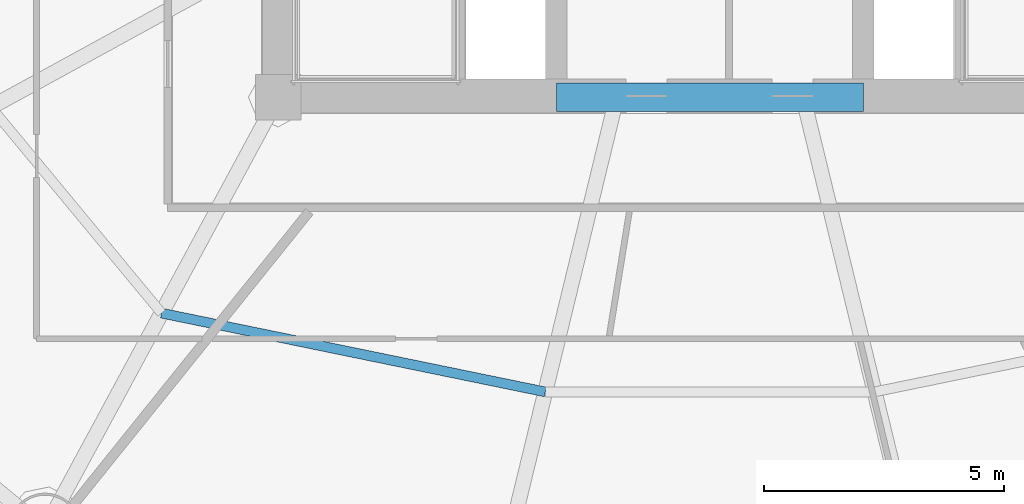
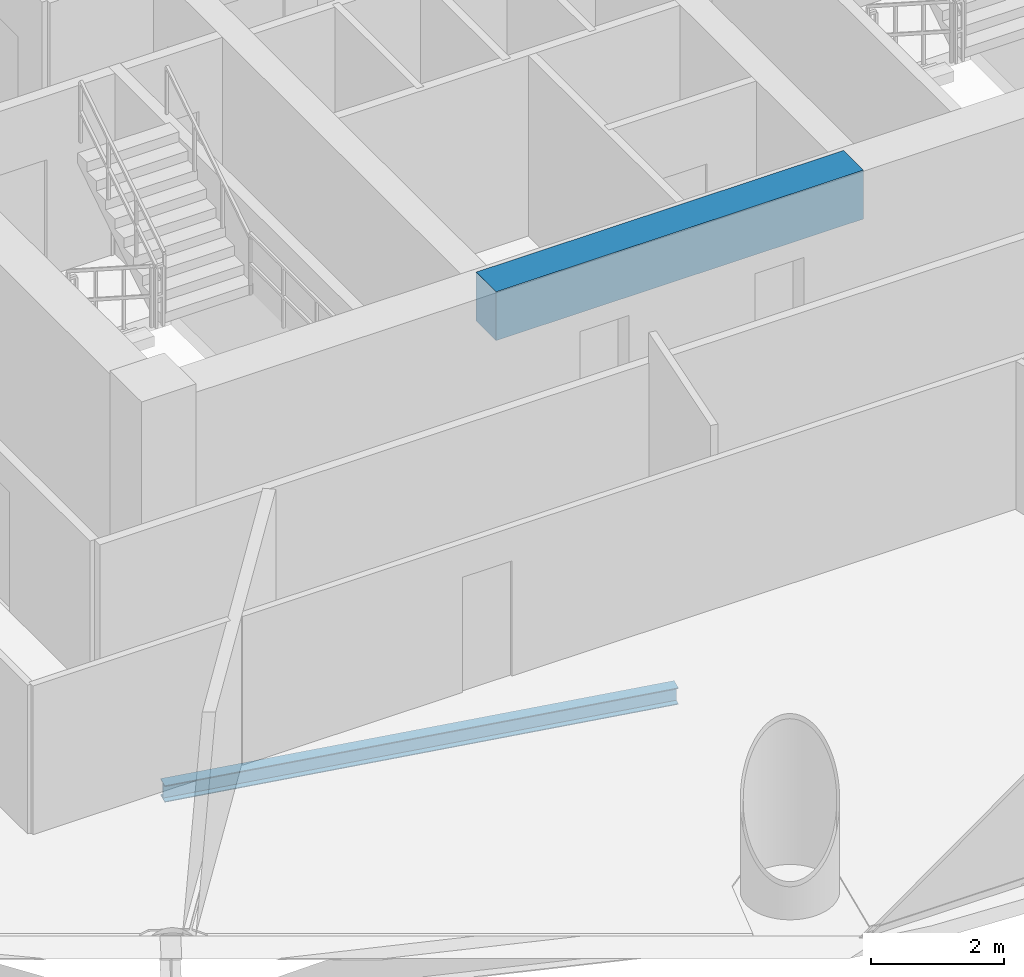
# One storey, part 6 of 29: 2 beams.
"""IFC4 building model written with IfcOpenShell, lengths in metres."""

import ifcopenshell
import ifcopenshell.guid

model = None  # the IFC model being written
_history = None  # IfcOwnerHistory: only IFC2X3 demands one
_inside = {}  # id of a spatial element -> (the spatial element, [elements in it])
_under = {}  # id of a project, library or spatial element -> (it, [spatial elements below it])
_declared = {}  # id of a project -> (the project, [libraries it declares])
_typed = {}  # id of a type object -> (the type object, [elements of that type])
_made_of = {}  # id of a material, layer set ... -> (it, [elements and type objects made of it])


def new_model(schema):
    """Start an empty IFC model of exactly this schema.

    Asked for "IFC4X3", IfcOpenShell would pick the latest addendum, in which some entities
    have other attributes; the version numbers below select the first issue.
    IFC2X3 requires an IfcOwnerHistory on every rooted entity: one is made here for all.
    """
    global model, _history
    if schema == "IFC4X3":
        model = ifcopenshell.file(schema_version=(4, 3, 0, 0))
    else:
        model = ifcopenshell.file(schema=schema)
    _inside.clear()
    _under.clear()
    _declared.clear()
    _typed.clear()
    _made_of.clear()
    _history = None
    if model.schema == "IFC2X3":
        org = make("IfcOrganization", Name="unknown")
        user = make(
            "IfcPersonAndOrganization",
            ThePerson=make("IfcPerson", FamilyName="unknown"),
            TheOrganization=org,
        )
        app = make(
            "IfcApplication",
            ApplicationDeveloper=org,
            Version="unknown",
            ApplicationFullName="unknown",
            ApplicationIdentifier="unknown",
        )
        _history = make(
            "IfcOwnerHistory",
            OwningUser=user,
            OwningApplication=app,
            ChangeAction="ADDED",
            CreationDate=0,
        )
    return model


def make(cls, **values):
    """One entity of the class cls with the attributes given. An attribute that is None is left unset."""
    return model.create_entity(
        cls, **{name: value for name, value in values.items() if value is not None}
    )


def rooted(cls, **values):
    """An entity with a GlobalId (a new one), such as an element, a storey or a relation."""
    return make(cls, GlobalId=ifcopenshell.guid.new(), OwnerHistory=_history, **values)


def si_unit(unit_type, name, prefix=None):
    """IfcSIUnit, for example si_unit("LENGTHUNIT", "METRE", prefix="MILLI")."""
    return make("IfcSIUnit", UnitType=unit_type, Prefix=prefix, Name=name)


def assignment(units):
    """IfcUnitAssignment: the units of a project."""
    return None if units is None else make("IfcUnitAssignment", Units=units)


def point(xyz):
    """IfcCartesianPoint."""
    return None if xyz is None else make("IfcCartesianPoint", Coordinates=xyz)


def direction(xyz):
    """IfcDirection."""
    return None if xyz is None else make("IfcDirection", DirectionRatios=xyz)


def frame(location, z_axis=None, x_axis=None):
    """IfcAxis2Placement3D, a coordinate frame: its origin and axes. An axis left out is left unset."""
    return make(
        "IfcAxis2Placement3D",
        Location=point(location),
        Axis=direction(z_axis),
        RefDirection=direction(x_axis),
    )


def frame_2d(location, x_axis=None):
    """IfcAxis2Placement2D, a coordinate frame in the plane: its origin and x axis."""
    return make(
        "IfcAxis2Placement2D", Location=point(location), RefDirection=direction(x_axis)
    )


def origin():
    """The frame at (0, 0, 0) with its axes left unset."""
    return frame((0.0, 0.0, 0.0))


def origin_2d():
    """The frame at (0, 0) in the plane with its x axis left unset."""
    return frame_2d((0.0, 0.0))


def place(relative_to, where):
    """IfcLocalPlacement: puts the frame where relative to a parent placement (None: the world)."""
    return make(
        "IfcLocalPlacement", PlacementRelTo=relative_to, RelativePlacement=where
    )


def context(
    kind, dimensions, precision=None, world=None, true_north=None, identifier=None
):
    """IfcGeometricRepresentationContext, for example the 3D "Model" context."""
    return make(
        "IfcGeometricRepresentationContext",
        ContextIdentifier=identifier,
        ContextType=kind,
        CoordinateSpaceDimension=dimensions,
        Precision=precision,
        WorldCoordinateSystem=world,
        TrueNorth=true_north,
    )


def subcontext(parent, identifier, kind, view, scale=None):
    """IfcGeometricRepresentationSubContext, for example "Body" below "Model"."""
    return make(
        "IfcGeometricRepresentationSubContext",
        ContextIdentifier=identifier,
        ContextType=kind,
        ParentContext=parent,
        TargetScale=scale,
        TargetView=view,
    )


def project(units=None, contexts=None):
    """IfcProject with its units and contexts."""
    return rooted(
        "IfcProject",
        Name="project",
        RepresentationContexts=contexts,
        UnitsInContext=assignment(units),
    )


def spatial(cls, under=None, at=None, **own):
    """A site, building, storey or space (cls), placed at a placement, below another one or the project."""
    s = rooted(cls, ObjectPlacement=at, **own)
    if under is not None:
        _under.setdefault(under.id(), (under, []))[1].append(s)
    return s


def profile(cls, at=None, kind="AREA", **sizes):
    """A parametric profile (cls). Its sizes go by their IFC names, for example OverallWidth=200.0."""
    return make(cls, ProfileType=kind, Position=at, **sizes)


def rectangle(**sizes):
    """IfcRectangleProfileDef."""
    return profile("IfcRectangleProfileDef", **sizes)


def i_section(**sizes):
    """IfcIShapeProfileDef."""
    return profile("IfcIShapeProfileDef", **sizes)


def extrude(swept, where, along, depth):
    """IfcExtrudedAreaSolid: the profile swept, set in the frame where, extruded along a direction by depth."""
    return make(
        "IfcExtrudedAreaSolid",
        SweptArea=swept,
        Position=where,
        ExtrudedDirection=direction(along),
        Depth=depth,
    )


def shape(context_of_items, identifier, shape_type, items):
    """IfcShapeRepresentation: the items that make up one representation, for example the "Body"."""
    return make(
        "IfcShapeRepresentation",
        ContextOfItems=context_of_items,
        RepresentationIdentifier=identifier,
        RepresentationType=shape_type,
        Items=items,
    )


def material(Name=None, Category=None):
    """IfcMaterial."""
    return make("IfcMaterial", Name=Name, Category=Category)


def material_profile(
    of_material, cross_section, Name=None, Category=None, Priority=None
):
    """IfcMaterialProfile: a cross section and its material."""
    return make(
        "IfcMaterialProfile",
        Name=Name,
        Material=of_material,
        Profile=cross_section,
        Priority=Priority,
        Category=Category,
    )


def profile_set(profiles, Name=None, composite=None):
    """IfcMaterialProfileSet."""
    return make(
        "IfcMaterialProfileSet",
        Name=Name,
        MaterialProfiles=profiles,
        CompositeProfile=composite,
    )


def made_of(thing, what):
    """Note that an element or type object is made of a material, layer set ...; save() writes the relation."""
    if what is not None:
        _made_of.setdefault(what.id(), (what, []))[1].append(thing)
    return thing


def type_object(cls, material=None, **own):
    """A type object (cls), such as IfcWallType, which elements share."""
    return made_of(rooted(cls, **own), material)


def element(
    cls,
    number,
    at=None,
    inside=None,
    cuts=None,
    type_object=None,
    material=None,
    context=None,
    identifier="Body",
    shape_type=None,
    held_by="IfcProductDefinitionShape",
    body=None,
    shapes=None,
    **own,
):
    """One element of the class cls, such as IfcWall. Its Tag is "e" and its number.

    at: its placement. inside: the storey or other place that contains it. cuts: it is an
    opening in that element (IfcRelVoidsElement). A single representation is given by context,
    identifier, shape_type and body (its items); several are given by shapes. held_by: the class
    of the entity that holds the representations. save() writes the other relations.
    """
    e = rooted(cls, Tag="e%d" % number, ObjectPlacement=at, **own)
    if body is not None:
        shapes = [shape(context, identifier, shape_type, body)]
    if shapes is not None:
        e.Representation = make(held_by, Representations=shapes)
    if inside is not None:
        _inside.setdefault(inside.id(), (inside, []))[1].append(e)
    if cuts is not None:
        rooted(
            "IfcRelVoidsElement", RelatingBuildingElement=cuts, RelatedOpeningElement=e
        )
    if type_object is not None:
        _typed.setdefault(type_object.id(), (type_object, []))[1].append(e)
    return made_of(e, material)


def aggregate(whole, parts):
    """IfcRelAggregates: a whole, such as a stair, and the parts it consists of."""
    return rooted("IfcRelAggregates", RelatingObject=whole, RelatedObjects=parts)


def save(model, path):
    """Write the relations noted so far, then the file.

    IfcRelAggregates (storeys below a building ...), IfcRelContainedInSpatialStructure (elements
    in a storey), IfcRelDefinesByType, IfcRelAssociatesMaterial and IfcRelDeclares: one each for
    every whole, place, type object, material and project.
    """
    for whole, parts in _under.values():
        aggregate(whole, parts)
    for where, things in _inside.values():
        rooted(
            "IfcRelContainedInSpatialStructure",
            RelatedElements=things,
            RelatingStructure=where,
        )
    for kind, things in _typed.values():
        rooted("IfcRelDefinesByType", RelatedObjects=things, RelatingType=kind)
    for what, things in _made_of.values():
        rooted("IfcRelAssociatesMaterial", RelatedObjects=things, RelatingMaterial=what)
    for by, libraries in _declared.values():
        rooted("IfcRelDeclares", RelatingContext=by, RelatedDefinitions=libraries)
    model.write(path)


model = new_model("IFC4")

# Units and contexts
model_context = context("Model", 3, precision=1e-05, world=origin(), true_north=direction((-0.2419218956, 0.970295726276)))
body_context = subcontext(model_context, "Body", "Model", "MODEL_VIEW")
ifc_project = project(units=[si_unit("LENGTHUNIT", "METRE"), si_unit("AREAUNIT", "SQUARE_METRE"), si_unit("VOLUMEUNIT", "CUBIC_METRE"), si_unit("PLANEANGLEUNIT", "RADIAN"), si_unit("MASSUNIT", "GRAM", prefix="KILO")], contexts=[model_context])

# Site, building, storey
site_placement = place(None, origin())
site = spatial("IfcSite", under=ifc_project, at=site_placement, CompositionType="ELEMENT")
building_placement = place(site_placement, origin())
building = spatial("IfcBuilding", under=site, at=building_placement, Name="Cobrevalo Terracotta Tower", CompositionType="ELEMENT")
storey_placement = place(building_placement, frame((0.0, 0.0, 115.800048828125)))
storey = spatial("IfcBuildingStorey", under=building, at=storey_placement, Name="L30", CompositionType="ELEMENT", Elevation=115.800048828125)

# Beams
ifc_material_1 = material(Name="Concrete C60", Category="concrete")
ifc_material_profile_1 = material_profile(ifc_material_1, rectangle(XDim=0.60009765625, YDim=0.89990234375, at=origin_2d()), Name="RC CB 600x900")
ifc_profile_set_1 = profile_set([ifc_material_profile_1], Name="Concrete C60")
beam_type_1 = type_object("IfcBeamType", Name="Structural Beam RC CB 600x900 (Concrete C60)", PredefinedType="BEAM", material=ifc_profile_set_1)
beam_1_placement = place(storey_placement, frame((34.800048828125, 18.800048828125, 2.875), z_axis=(1.0, 0.0, 0.0), x_axis=(0.0, 1.0, 0.0)))
element("IfcBeam", 1, at=beam_1_placement, inside=storey, type_object=beam_type_1, Name="L30 core coupling beam 1", PredefinedType="BEAM", context=body_context, shape_type="SweptSolid", body=[
    extrude(rectangle(XDim=0.60009765625, YDim=0.89990234375, at=origin_2d()), origin(), (0.0, 0.0, 1.0), 6.39990234375),
])
ifc_material_2 = material(Name="Steel S355", Category="steel")
ifc_material_profile_2 = material_profile(ifc_material_2, i_section(OverallWidth=0.2041015625, OverallDepth=0.305908203125, WebThickness=0.008544921875, FlangeThickness=0.0146484375, at=origin_2d()), Name="W 310x67")
ifc_profile_set_2 = profile_set([ifc_material_profile_2], Name="Steel S355")
beam_type_2 = type_object("IfcBeamType", Name="Structural Joist W 310x67 (Steel S355)", PredefinedType="JOIST", material=ifc_profile_set_2)
beam_2_placement = place(storey_placement, frame((26.5693359375, 14.29833984375, -0.427978515625), z_axis=(0.979574469315, -0.201081722357, 0.0), x_axis=(0.201081722357, 0.979574469315, 0.0)))
element("IfcBeam", 2, at=beam_2_placement, inside=storey, type_object=beam_type_2, Name="L30 circumferential secondary floor joist 11", PredefinedType="JOIST", context=body_context, shape_type="SweptSolid", body=[
    extrude(i_section(OverallWidth=0.2041015625, OverallDepth=0.305908203125, WebThickness=0.008544921875, FlangeThickness=0.0146484375, at=origin_2d()), origin(), (0.0, 0.0, 1.0), 8.1650390625),
])

save(model, "model.ifc")
